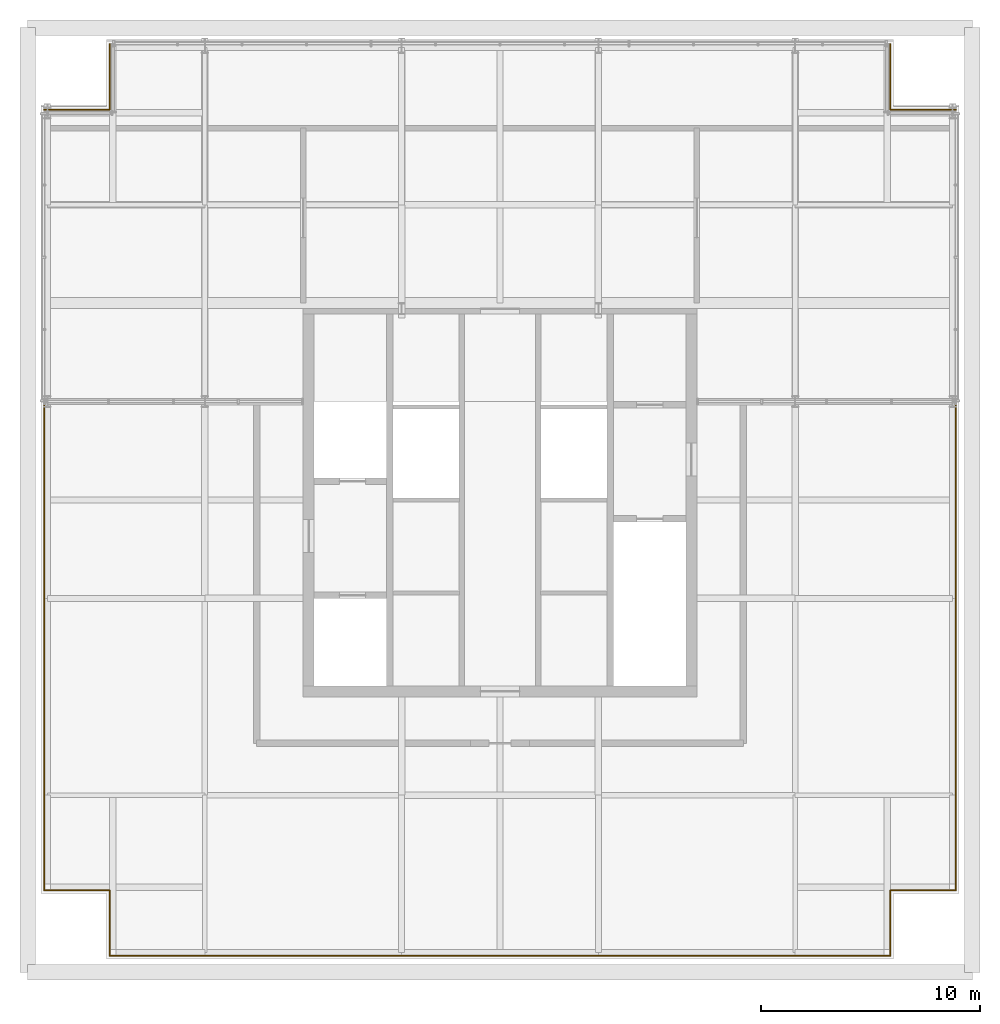
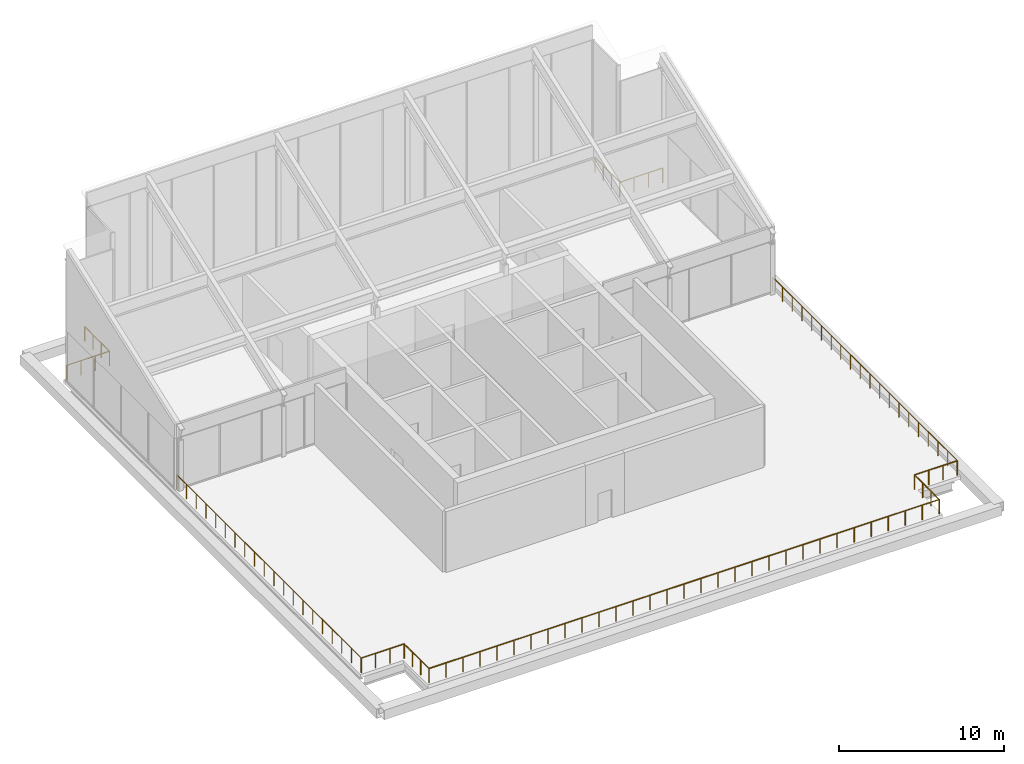
# One storey, part 10 of 10: 11 railings.
"""IFC4 building model written with IfcOpenShell, lengths in metres."""

import ifcopenshell
import ifcopenshell.guid

model = None  # the IFC model being written
_history = None  # IfcOwnerHistory: only IFC2X3 demands one
_inside = {}  # id of a spatial element -> (the spatial element, [elements in it])
_under = {}  # id of a project, library or spatial element -> (it, [spatial elements below it])
_declared = {}  # id of a project -> (the project, [libraries it declares])
_typed = {}  # id of a type object -> (the type object, [elements of that type])
_made_of = {}  # id of a material, layer set ... -> (it, [elements and type objects made of it])


def new_model(schema):
    """Start an empty IFC model of exactly this schema.

    Asked for "IFC4X3", IfcOpenShell would pick the latest addendum, in which some entities
    have other attributes; the version numbers below select the first issue.
    IFC2X3 requires an IfcOwnerHistory on every rooted entity: one is made here for all.
    """
    global model, _history
    if schema == "IFC4X3":
        model = ifcopenshell.file(schema_version=(4, 3, 0, 0))
    else:
        model = ifcopenshell.file(schema=schema)
    _inside.clear()
    _under.clear()
    _declared.clear()
    _typed.clear()
    _made_of.clear()
    _history = None
    if model.schema == "IFC2X3":
        org = make("IfcOrganization", Name="unknown")
        user = make(
            "IfcPersonAndOrganization",
            ThePerson=make("IfcPerson", FamilyName="unknown"),
            TheOrganization=org,
        )
        app = make(
            "IfcApplication",
            ApplicationDeveloper=org,
            Version="unknown",
            ApplicationFullName="unknown",
            ApplicationIdentifier="unknown",
        )
        _history = make(
            "IfcOwnerHistory",
            OwningUser=user,
            OwningApplication=app,
            ChangeAction="ADDED",
            CreationDate=0,
        )
    return model


def make(cls, **values):
    """One entity of the class cls with the attributes given. An attribute that is None is left unset."""
    return model.create_entity(
        cls, **{name: value for name, value in values.items() if value is not None}
    )


def rooted(cls, **values):
    """An entity with a GlobalId (a new one), such as an element, a storey or a relation."""
    return make(cls, GlobalId=ifcopenshell.guid.new(), OwnerHistory=_history, **values)


def si_unit(unit_type, name, prefix=None):
    """IfcSIUnit, for example si_unit("LENGTHUNIT", "METRE", prefix="MILLI")."""
    return make("IfcSIUnit", UnitType=unit_type, Prefix=prefix, Name=name)


def assignment(units):
    """IfcUnitAssignment: the units of a project."""
    return None if units is None else make("IfcUnitAssignment", Units=units)


def point(xyz):
    """IfcCartesianPoint."""
    return None if xyz is None else make("IfcCartesianPoint", Coordinates=xyz)


def direction(xyz):
    """IfcDirection."""
    return None if xyz is None else make("IfcDirection", DirectionRatios=xyz)


def frame(location, z_axis=None, x_axis=None):
    """IfcAxis2Placement3D, a coordinate frame: its origin and axes. An axis left out is left unset."""
    return make(
        "IfcAxis2Placement3D",
        Location=point(location),
        Axis=direction(z_axis),
        RefDirection=direction(x_axis),
    )


def frame_2d(location, x_axis=None):
    """IfcAxis2Placement2D, a coordinate frame in the plane: its origin and x axis."""
    return make(
        "IfcAxis2Placement2D", Location=point(location), RefDirection=direction(x_axis)
    )


def origin():
    """The frame at (0, 0, 0) with its axes left unset."""
    return frame((0.0, 0.0, 0.0))


def origin_2d():
    """The frame at (0, 0) in the plane with its x axis left unset."""
    return frame_2d((0.0, 0.0))


def place(relative_to, where):
    """IfcLocalPlacement: puts the frame where relative to a parent placement (None: the world)."""
    return make(
        "IfcLocalPlacement", PlacementRelTo=relative_to, RelativePlacement=where
    )


def context(
    kind, dimensions, precision=None, world=None, true_north=None, identifier=None
):
    """IfcGeometricRepresentationContext, for example the 3D "Model" context."""
    return make(
        "IfcGeometricRepresentationContext",
        ContextIdentifier=identifier,
        ContextType=kind,
        CoordinateSpaceDimension=dimensions,
        Precision=precision,
        WorldCoordinateSystem=world,
        TrueNorth=true_north,
    )


def subcontext(parent, identifier, kind, view, scale=None):
    """IfcGeometricRepresentationSubContext, for example "Body" below "Model"."""
    return make(
        "IfcGeometricRepresentationSubContext",
        ContextIdentifier=identifier,
        ContextType=kind,
        ParentContext=parent,
        TargetScale=scale,
        TargetView=view,
    )


def project(units=None, contexts=None):
    """IfcProject with its units and contexts."""
    return rooted(
        "IfcProject",
        Name="project",
        RepresentationContexts=contexts,
        UnitsInContext=assignment(units),
    )


def spatial(cls, under=None, at=None, **own):
    """A site, building, storey or space (cls), placed at a placement, below another one or the project."""
    s = rooted(cls, ObjectPlacement=at, **own)
    if under is not None:
        _under.setdefault(under.id(), (under, []))[1].append(s)
    return s


def profile(cls, at=None, kind="AREA", **sizes):
    """A parametric profile (cls). Its sizes go by their IFC names, for example OverallWidth=200.0."""
    return make(cls, ProfileType=kind, Position=at, **sizes)


def circle(**sizes):
    """IfcCircleProfileDef."""
    return profile("IfcCircleProfileDef", **sizes)


def extrude(swept, where, along, depth):
    """IfcExtrudedAreaSolid: the profile swept, set in the frame where, extruded along a direction by depth."""
    return make(
        "IfcExtrudedAreaSolid",
        SweptArea=swept,
        Position=where,
        ExtrudedDirection=direction(along),
        Depth=depth,
    )


def shape(context_of_items, identifier, shape_type, items):
    """IfcShapeRepresentation: the items that make up one representation, for example the "Body"."""
    return make(
        "IfcShapeRepresentation",
        ContextOfItems=context_of_items,
        RepresentationIdentifier=identifier,
        RepresentationType=shape_type,
        Items=items,
    )


def material(Name=None, Category=None):
    """IfcMaterial."""
    return make("IfcMaterial", Name=Name, Category=Category)


def made_of(thing, what):
    """Note that an element or type object is made of a material, layer set ...; save() writes the relation."""
    if what is not None:
        _made_of.setdefault(what.id(), (what, []))[1].append(thing)
    return thing


def type_object(cls, material=None, **own):
    """A type object (cls), such as IfcWallType, which elements share."""
    return made_of(rooted(cls, **own), material)


def element(
    cls,
    number,
    at=None,
    inside=None,
    cuts=None,
    type_object=None,
    material=None,
    context=None,
    identifier="Body",
    shape_type=None,
    held_by="IfcProductDefinitionShape",
    body=None,
    shapes=None,
    **own,
):
    """One element of the class cls, such as IfcWall. Its Tag is "e" and its number.

    at: its placement. inside: the storey or other place that contains it. cuts: it is an
    opening in that element (IfcRelVoidsElement). A single representation is given by context,
    identifier, shape_type and body (its items); several are given by shapes. held_by: the class
    of the entity that holds the representations. save() writes the other relations.
    """
    e = rooted(cls, Tag="e%d" % number, ObjectPlacement=at, **own)
    if body is not None:
        shapes = [shape(context, identifier, shape_type, body)]
    if shapes is not None:
        e.Representation = make(held_by, Representations=shapes)
    if inside is not None:
        _inside.setdefault(inside.id(), (inside, []))[1].append(e)
    if cuts is not None:
        rooted(
            "IfcRelVoidsElement", RelatingBuildingElement=cuts, RelatedOpeningElement=e
        )
    if type_object is not None:
        _typed.setdefault(type_object.id(), (type_object, []))[1].append(e)
    return made_of(e, material)


def aggregate(whole, parts):
    """IfcRelAggregates: a whole, such as a stair, and the parts it consists of."""
    return rooted("IfcRelAggregates", RelatingObject=whole, RelatedObjects=parts)


def save(model, path):
    """Write the relations noted so far, then the file.

    IfcRelAggregates (storeys below a building ...), IfcRelContainedInSpatialStructure (elements
    in a storey), IfcRelDefinesByType, IfcRelAssociatesMaterial and IfcRelDeclares: one each for
    every whole, place, type object, material and project.
    """
    for whole, parts in _under.values():
        aggregate(whole, parts)
    for where, things in _inside.values():
        rooted(
            "IfcRelContainedInSpatialStructure",
            RelatedElements=things,
            RelatingStructure=where,
        )
    for kind, things in _typed.values():
        rooted("IfcRelDefinesByType", RelatedObjects=things, RelatingType=kind)
    for what, things in _made_of.values():
        rooted("IfcRelAssociatesMaterial", RelatedObjects=things, RelatingMaterial=what)
    for by, libraries in _declared.values():
        rooted("IfcRelDeclares", RelatingContext=by, RelatedDefinitions=libraries)
    model.write(path)


model = new_model("IFC4")

# Units and contexts
model_context = context("Model", 3, precision=1e-05, world=origin(), true_north=direction((0.0, 1.0)))
body_context = subcontext(model_context, "Body", "Model", "MODEL_VIEW")
ifc_project = project(units=[si_unit("LENGTHUNIT", "METRE"), si_unit("AREAUNIT", "SQUARE_METRE"), si_unit("VOLUMEUNIT", "CUBIC_METRE"), si_unit("PLANEANGLEUNIT", "RADIAN"), si_unit("MASSUNIT", "GRAM", prefix="KILO")], contexts=[model_context])

# Site, building, storey
site_placement = place(None, origin())
site = spatial("IfcSite", under=ifc_project, at=site_placement, CompositionType="ELEMENT")
building_placement = place(site_placement, origin())
building = spatial("IfcBuilding", under=site, at=building_placement, Name="Malebo Sky Hospital", CompositionType="ELEMENT")
storey_placement = place(building_placement, frame((0.0, 0.0, 290.0)))
storey = spatial("IfcBuildingStorey", under=building, at=storey_placement, Name="RF", CompositionType="ELEMENT", Elevation=290.0)

# Railings
ifc_material = material(Name="Anodised aluminium, natural silver posts with stainless steel infill", Category="steel")
railing_type = type_object("IfcRailingType", Name="ROOF EDGE GUARD 1100", PredefinedType="GUARDRAIL", material=ifc_material)
railing_1_placement = place(storey_placement, frame((39.14990234375, 66.5, 0.0)))
element("IfcRailing", 1, at=railing_1_placement, inside=storey, type_object=railing_type, Name="Helicopter deck edge guard 1", PredefinedType="GUARDRAIL", context=body_context, shape_type="SweptSolid", body=[
    extrude(circle(Radius=0.02392578125, at=origin_2d()), frame((0.0, 0.0, 1.076171875), z_axis=(0.0, -1.0, 0.0), x_axis=(1.0, 0.0, 0.0)), (0.0, 0.0, 1.0), 22.35009765625),
    extrude(circle(Radius=0.02099609375, at=origin_2d()), origin(), (0.0, 0.0, 1.0), 1.052001953125),
    extrude(circle(Radius=0.02099609375, at=origin_2d()), frame((0.0, -1.17626953125, 0.0)), (0.0, 0.0, 1.0), 1.052001953125),
    extrude(circle(Radius=0.02099609375, at=origin_2d()), frame((0.0, -2.3525390625, 0.0)), (0.0, 0.0, 1.0), 1.052001953125),
    extrude(circle(Radius=0.02099609375, at=origin_2d()), frame((0.0, -3.529052734375, 0.0)), (0.0, 0.0, 1.0), 1.052001953125),
    extrude(circle(Radius=0.02099609375, at=origin_2d()), frame((0.0, -4.705322265625, 0.0)), (0.0, 0.0, 1.0), 1.052001953125),
    extrude(circle(Radius=0.02099609375, at=origin_2d()), frame((0.0, -5.881591796875, 0.0)), (0.0, 0.0, 1.0), 1.052001953125),
    extrude(circle(Radius=0.02099609375, at=origin_2d()), frame((0.0, -7.057861328125, 0.0)), (0.0, 0.0, 1.0), 1.052001953125),
    extrude(circle(Radius=0.02099609375, at=origin_2d()), frame((0.0, -8.234130859375, 0.0)), (0.0, 0.0, 1.0), 1.052001953125),
    extrude(circle(Radius=0.02099609375, at=origin_2d()), frame((0.0, -9.41064453125, 0.0)), (0.0, 0.0, 1.0), 1.052001953125),
    extrude(circle(Radius=0.02099609375, at=origin_2d()), frame((0.0, -10.5869140625, 0.0)), (0.0, 0.0, 1.0), 1.052001953125),
    extrude(circle(Radius=0.02099609375, at=origin_2d()), frame((0.0, -11.76318359375, 0.0)), (0.0, 0.0, 1.0), 1.052001953125),
    extrude(circle(Radius=0.02099609375, at=origin_2d()), frame((0.0, -12.939453125, 0.0)), (0.0, 0.0, 1.0), 1.052001953125),
    extrude(circle(Radius=0.02099609375, at=origin_2d()), frame((0.0, -14.115966796875, 0.0)), (0.0, 0.0, 1.0), 1.052001953125),
    extrude(circle(Radius=0.02099609375, at=origin_2d()), frame((0.0, -15.292236328125, 0.0)), (0.0, 0.0, 1.0), 1.052001953125),
    extrude(circle(Radius=0.02099609375, at=origin_2d()), frame((0.0, -16.468505859375, 0.0)), (0.0, 0.0, 1.0), 1.052001953125),
    extrude(circle(Radius=0.02099609375, at=origin_2d()), frame((0.0, -17.644775390625, 0.0)), (0.0, 0.0, 1.0), 1.052001953125),
    extrude(circle(Radius=0.02099609375, at=origin_2d()), frame((0.0, -18.821044921875, 0.0)), (0.0, 0.0, 1.0), 1.052001953125),
    extrude(circle(Radius=0.02099609375, at=origin_2d()), frame((0.0, -19.99755859375, 0.0)), (0.0, 0.0, 1.0), 1.052001953125),
    extrude(circle(Radius=0.02099609375, at=origin_2d()), frame((0.0, -21.173828125, 0.0)), (0.0, 0.0, 1.0), 1.052001953125),
    extrude(circle(Radius=0.02099609375, at=origin_2d()), frame((0.0, -22.35009765625, 0.0)), (0.0, 0.0, 1.0), 1.052001953125),
])
railing_2_placement = place(storey_placement, frame((39.14990234375, 44.14990234375, 0.0)))
element("IfcRailing", 2, at=railing_2_placement, inside=storey, type_object=railing_type, Name="Helicopter deck edge guard 2", PredefinedType="GUARDRAIL", context=body_context, shape_type="SweptSolid", body=[
    extrude(circle(Radius=0.02392578125, at=origin_2d()), frame((0.0, 0.0, 1.076171875), z_axis=(1.0, 0.0, 0.0), x_axis=(0.0, 1.0, 0.0)), (0.0, 0.0, 1.0), 3.0),
    extrude(circle(Radius=0.02099609375, at=origin_2d()), origin(), (0.0, 0.0, 1.0), 1.052001953125),
    extrude(circle(Radius=0.02099609375, at=origin_2d()), frame((1.0, 0.0, 0.0)), (0.0, 0.0, 1.0), 1.052001953125),
    extrude(circle(Radius=0.02099609375, at=origin_2d()), frame((2.0, 0.0, 0.0)), (0.0, 0.0, 1.0), 1.052001953125),
    extrude(circle(Radius=0.02099609375, at=origin_2d()), frame((3.0, 0.0, 0.0)), (0.0, 0.0, 1.0), 1.052001953125),
])
railing_3_placement = place(storey_placement, frame((42.14990234375, 44.14990234375, 0.0)))
element("IfcRailing", 3, at=railing_3_placement, inside=storey, type_object=railing_type, Name="Helicopter deck edge guard 3", PredefinedType="GUARDRAIL", context=body_context, shape_type="SweptSolid", body=[
    extrude(circle(Radius=0.02392578125, at=origin_2d()), frame((0.0, 0.0, 1.076171875), z_axis=(0.0, -1.0, 0.0), x_axis=(1.0, 0.0, 0.0)), (0.0, 0.0, 1.0), 3.0),
    extrude(circle(Radius=0.02099609375, at=origin_2d()), origin(), (0.0, 0.0, 1.0), 1.052001953125),
    extrude(circle(Radius=0.02099609375, at=origin_2d()), frame((0.0, -1.0, 0.0)), (0.0, 0.0, 1.0), 1.052001953125),
    extrude(circle(Radius=0.02099609375, at=origin_2d()), frame((0.0, -2.0, 0.0)), (0.0, 0.0, 1.0), 1.052001953125),
    extrude(circle(Radius=0.02099609375, at=origin_2d()), frame((0.0, -3.0, 0.0)), (0.0, 0.0, 1.0), 1.052001953125),
])
railing_4_placement = place(storey_placement, frame((42.14990234375, 41.14990234375, 0.0)))
element("IfcRailing", 4, at=railing_4_placement, inside=storey, type_object=railing_type, Name="Helicopter deck edge guard 4", PredefinedType="GUARDRAIL", context=body_context, shape_type="SweptSolid", body=[
    extrude(circle(Radius=0.02392578125, at=origin_2d()), frame((0.0, 0.0, 1.076171875), z_axis=(1.0, 0.0, 0.0), x_axis=(0.0, 1.0, 0.0)), (0.0, 0.0, 1.0), 35.7001953125),
    extrude(circle(Radius=0.02099609375, at=origin_2d()), origin(), (0.0, 0.0, 1.0), 1.052001953125),
    extrude(circle(Radius=0.02099609375, at=origin_2d()), frame((1.18994140625, 0.0, 0.0)), (0.0, 0.0, 1.0), 1.052001953125),
    extrude(circle(Radius=0.02099609375, at=origin_2d()), frame((2.380126953125, 0.0, 0.0)), (0.0, 0.0, 1.0), 1.052001953125),
    extrude(circle(Radius=0.02099609375, at=origin_2d()), frame((3.570068359375, 0.0, 0.0)), (0.0, 0.0, 1.0), 1.052001953125),
    extrude(circle(Radius=0.02099609375, at=origin_2d()), frame((4.760009765625, 0.0, 0.0)), (0.0, 0.0, 1.0), 1.052001953125),
    extrude(circle(Radius=0.02099609375, at=origin_2d()), frame((5.949951171875, 0.0, 0.0)), (0.0, 0.0, 1.0), 1.052001953125),
    extrude(circle(Radius=0.02099609375, at=origin_2d()), frame((7.14013671875, 0.0, 0.0)), (0.0, 0.0, 1.0), 1.052001953125),
    extrude(circle(Radius=0.02099609375, at=origin_2d()), frame((8.330078125, 0.0, 0.0)), (0.0, 0.0, 1.0), 1.052001953125),
    extrude(circle(Radius=0.02099609375, at=origin_2d()), frame((9.52001953125, 0.0, 0.0)), (0.0, 0.0, 1.0), 1.052001953125),
    extrude(circle(Radius=0.02099609375, at=origin_2d()), frame((10.7099609375, 0.0, 0.0)), (0.0, 0.0, 1.0), 1.052001953125),
    extrude(circle(Radius=0.02099609375, at=origin_2d()), frame((11.900146484375, 0.0, 0.0)), (0.0, 0.0, 1.0), 1.052001953125),
    extrude(circle(Radius=0.02099609375, at=origin_2d()), frame((13.090087890625, 0.0, 0.0)), (0.0, 0.0, 1.0), 1.052001953125),
    extrude(circle(Radius=0.02099609375, at=origin_2d()), frame((14.280029296875, 0.0, 0.0)), (0.0, 0.0, 1.0), 1.052001953125),
    extrude(circle(Radius=0.02099609375, at=origin_2d()), frame((15.469970703125, 0.0, 0.0)), (0.0, 0.0, 1.0), 1.052001953125),
    extrude(circle(Radius=0.02099609375, at=origin_2d()), frame((16.66015625, 0.0, 0.0)), (0.0, 0.0, 1.0), 1.052001953125),
    extrude(circle(Radius=0.02099609375, at=origin_2d()), frame((17.85009765625, 0.0, 0.0)), (0.0, 0.0, 1.0), 1.052001953125),
    extrude(circle(Radius=0.02099609375, at=origin_2d()), frame((19.0400390625, 0.0, 0.0)), (0.0, 0.0, 1.0), 1.052001953125),
    extrude(circle(Radius=0.02099609375, at=origin_2d()), frame((20.230224609375, 0.0, 0.0)), (0.0, 0.0, 1.0), 1.052001953125),
    extrude(circle(Radius=0.02099609375, at=origin_2d()), frame((21.420166015625, 0.0, 0.0)), (0.0, 0.0, 1.0), 1.052001953125),
    extrude(circle(Radius=0.02099609375, at=origin_2d()), frame((22.610107421875, 0.0, 0.0)), (0.0, 0.0, 1.0), 1.052001953125),
    extrude(circle(Radius=0.02099609375, at=origin_2d()), frame((23.800048828125, 0.0, 0.0)), (0.0, 0.0, 1.0), 1.052001953125),
    extrude(circle(Radius=0.02099609375, at=origin_2d()), frame((24.990234375, 0.0, 0.0)), (0.0, 0.0, 1.0), 1.052001953125),
    extrude(circle(Radius=0.02099609375, at=origin_2d()), frame((26.18017578125, 0.0, 0.0)), (0.0, 0.0, 1.0), 1.052001953125),
    extrude(circle(Radius=0.02099609375, at=origin_2d()), frame((27.3701171875, 0.0, 0.0)), (0.0, 0.0, 1.0), 1.052001953125),
    extrude(circle(Radius=0.02099609375, at=origin_2d()), frame((28.56005859375, 0.0, 0.0)), (0.0, 0.0, 1.0), 1.052001953125),
    extrude(circle(Radius=0.02099609375, at=origin_2d()), frame((29.750244140625, 0.0, 0.0)), (0.0, 0.0, 1.0), 1.052001953125),
    extrude(circle(Radius=0.02099609375, at=origin_2d()), frame((30.940185546875, 0.0, 0.0)), (0.0, 0.0, 1.0), 1.052001953125),
    extrude(circle(Radius=0.02099609375, at=origin_2d()), frame((32.130126953125, 0.0, 0.0)), (0.0, 0.0, 1.0), 1.052001953125),
    extrude(circle(Radius=0.02099609375, at=origin_2d()), frame((33.320068359375, 0.0, 0.0)), (0.0, 0.0, 1.0), 1.052001953125),
    extrude(circle(Radius=0.02099609375, at=origin_2d()), frame((34.51025390625, 0.0, 0.0)), (0.0, 0.0, 1.0), 1.052001953125),
    extrude(circle(Radius=0.02099609375, at=origin_2d()), frame((35.7001953125, 0.0, 0.0)), (0.0, 0.0, 1.0), 1.052001953125),
])
railing_5_placement = place(storey_placement, frame((77.85009765625, 41.14990234375, 0.0)))
element("IfcRailing", 5, at=railing_5_placement, inside=storey, type_object=railing_type, Name="Helicopter deck edge guard 5", PredefinedType="GUARDRAIL", context=body_context, shape_type="SweptSolid", body=[
    extrude(circle(Radius=0.02392578125, at=origin_2d()), frame((0.0, 0.0, 1.076171875), z_axis=(0.0, 1.0, 0.0), x_axis=(-1.0, 0.0, 0.0)), (0.0, 0.0, 1.0), 3.0),
    extrude(circle(Radius=0.02099609375, at=origin_2d()), origin(), (0.0, 0.0, 1.0), 1.052001953125),
    extrude(circle(Radius=0.02099609375, at=origin_2d()), frame((0.0, 1.0, 0.0)), (0.0, 0.0, 1.0), 1.052001953125),
    extrude(circle(Radius=0.02099609375, at=origin_2d()), frame((0.0, 2.0, 0.0)), (0.0, 0.0, 1.0), 1.052001953125),
    extrude(circle(Radius=0.02099609375, at=origin_2d()), frame((0.0, 3.0, 0.0)), (0.0, 0.0, 1.0), 1.052001953125),
])
railing_6_placement = place(storey_placement, frame((77.85009765625, 44.14990234375, 0.0)))
element("IfcRailing", 6, at=railing_6_placement, inside=storey, type_object=railing_type, Name="Helicopter deck edge guard 6", PredefinedType="GUARDRAIL", context=body_context, shape_type="SweptSolid", body=[
    extrude(circle(Radius=0.02392578125, at=origin_2d()), frame((0.0, 0.0, 1.076171875), z_axis=(1.0, 0.0, 0.0), x_axis=(0.0, 1.0, 0.0)), (0.0, 0.0, 1.0), 3.0),
    extrude(circle(Radius=0.02099609375, at=origin_2d()), origin(), (0.0, 0.0, 1.0), 1.052001953125),
    extrude(circle(Radius=0.02099609375, at=origin_2d()), frame((1.0, 0.0, 0.0)), (0.0, 0.0, 1.0), 1.052001953125),
    extrude(circle(Radius=0.02099609375, at=origin_2d()), frame((2.0, 0.0, 0.0)), (0.0, 0.0, 1.0), 1.052001953125),
    extrude(circle(Radius=0.02099609375, at=origin_2d()), frame((3.0, 0.0, 0.0)), (0.0, 0.0, 1.0), 1.052001953125),
])
railing_7_placement = place(storey_placement, frame((80.85009765625, 44.14990234375, 0.0)))
element("IfcRailing", 7, at=railing_7_placement, inside=storey, type_object=railing_type, Name="Helicopter deck edge guard 7", PredefinedType="GUARDRAIL", context=body_context, shape_type="SweptSolid", body=[
    extrude(circle(Radius=0.02392578125, at=origin_2d()), frame((0.0, 0.0, 1.076171875), z_axis=(0.0, 1.0, 0.0), x_axis=(-1.0, 0.0, 0.0)), (0.0, 0.0, 1.0), 22.35009765625),
    extrude(circle(Radius=0.02099609375, at=origin_2d()), origin(), (0.0, 0.0, 1.0), 1.052001953125),
    extrude(circle(Radius=0.02099609375, at=origin_2d()), frame((0.0, 1.17626953125, 0.0)), (0.0, 0.0, 1.0), 1.052001953125),
    extrude(circle(Radius=0.02099609375, at=origin_2d()), frame((0.0, 2.3525390625, 0.0)), (0.0, 0.0, 1.0), 1.052001953125),
    extrude(circle(Radius=0.02099609375, at=origin_2d()), frame((0.0, 3.529052734375, 0.0)), (0.0, 0.0, 1.0), 1.052001953125),
    extrude(circle(Radius=0.02099609375, at=origin_2d()), frame((0.0, 4.705322265625, 0.0)), (0.0, 0.0, 1.0), 1.052001953125),
    extrude(circle(Radius=0.02099609375, at=origin_2d()), frame((0.0, 5.881591796875, 0.0)), (0.0, 0.0, 1.0), 1.052001953125),
    extrude(circle(Radius=0.02099609375, at=origin_2d()), frame((0.0, 7.057861328125, 0.0)), (0.0, 0.0, 1.0), 1.052001953125),
    extrude(circle(Radius=0.02099609375, at=origin_2d()), frame((0.0, 8.234130859375, 0.0)), (0.0, 0.0, 1.0), 1.052001953125),
    extrude(circle(Radius=0.02099609375, at=origin_2d()), frame((0.0, 9.41064453125, 0.0)), (0.0, 0.0, 1.0), 1.052001953125),
    extrude(circle(Radius=0.02099609375, at=origin_2d()), frame((0.0, 10.5869140625, 0.0)), (0.0, 0.0, 1.0), 1.052001953125),
    extrude(circle(Radius=0.02099609375, at=origin_2d()), frame((0.0, 11.76318359375, 0.0)), (0.0, 0.0, 1.0), 1.052001953125),
    extrude(circle(Radius=0.02099609375, at=origin_2d()), frame((0.0, 12.939453125, 0.0)), (0.0, 0.0, 1.0), 1.052001953125),
    extrude(circle(Radius=0.02099609375, at=origin_2d()), frame((0.0, 14.115966796875, 0.0)), (0.0, 0.0, 1.0), 1.052001953125),
    extrude(circle(Radius=0.02099609375, at=origin_2d()), frame((0.0, 15.292236328125, 0.0)), (0.0, 0.0, 1.0), 1.052001953125),
    extrude(circle(Radius=0.02099609375, at=origin_2d()), frame((0.0, 16.468505859375, 0.0)), (0.0, 0.0, 1.0), 1.052001953125),
    extrude(circle(Radius=0.02099609375, at=origin_2d()), frame((0.0, 17.644775390625, 0.0)), (0.0, 0.0, 1.0), 1.052001953125),
    extrude(circle(Radius=0.02099609375, at=origin_2d()), frame((0.0, 18.821044921875, 0.0)), (0.0, 0.0, 1.0), 1.052001953125),
    extrude(circle(Radius=0.02099609375, at=origin_2d()), frame((0.0, 19.99755859375, 0.0)), (0.0, 0.0, 1.0), 1.052001953125),
    extrude(circle(Radius=0.02099609375, at=origin_2d()), frame((0.0, 21.173828125, 0.0)), (0.0, 0.0, 1.0), 1.052001953125),
    extrude(circle(Radius=0.02099609375, at=origin_2d()), frame((0.0, 22.35009765625, 0.0)), (0.0, 0.0, 1.0), 1.052001953125),
])
railing_8_placement = place(storey_placement, frame((39.14990234375, 79.85009765625, 0.0)))
element("IfcRailing", 8, at=railing_8_placement, inside=storey, type_object=railing_type, Name="Helicopter deck edge guard 8", PredefinedType="GUARDRAIL", context=body_context, shape_type="SweptSolid", body=[
    extrude(circle(Radius=0.02392578125, at=origin_2d()), frame((0.0, 0.0, 1.076171875), z_axis=(1.0, 0.0, 0.0), x_axis=(0.0, 1.0, 0.0)), (0.0, 0.0, 1.0), 3.0),
    extrude(circle(Radius=0.02099609375, at=origin_2d()), origin(), (0.0, 0.0, 1.0), 1.052001953125),
    extrude(circle(Radius=0.02099609375, at=origin_2d()), frame((1.0, 0.0, 0.0)), (0.0, 0.0, 1.0), 1.052001953125),
    extrude(circle(Radius=0.02099609375, at=origin_2d()), frame((2.0, 0.0, 0.0)), (0.0, 0.0, 1.0), 1.052001953125),
    extrude(circle(Radius=0.02099609375, at=origin_2d()), frame((3.0, 0.0, 0.0)), (0.0, 0.0, 1.0), 1.052001953125),
])
railing_9_placement = place(storey_placement, frame((42.14990234375, 79.85009765625, 0.0)))
element("IfcRailing", 9, at=railing_9_placement, inside=storey, type_object=railing_type, Name="Helicopter deck edge guard 9", PredefinedType="GUARDRAIL", context=body_context, shape_type="SweptSolid", body=[
    extrude(circle(Radius=0.02392578125, at=origin_2d()), frame((0.0, 0.0, 1.076171875), z_axis=(0.0, 1.0, 0.0), x_axis=(-1.0, 0.0, 0.0)), (0.0, 0.0, 1.0), 3.0),
    extrude(circle(Radius=0.02099609375, at=origin_2d()), origin(), (0.0, 0.0, 1.0), 1.052001953125),
    extrude(circle(Radius=0.02099609375, at=origin_2d()), frame((0.0, 1.0, 0.0)), (0.0, 0.0, 1.0), 1.052001953125),
    extrude(circle(Radius=0.02099609375, at=origin_2d()), frame((0.0, 2.0, 0.0)), (0.0, 0.0, 1.0), 1.052001953125),
    extrude(circle(Radius=0.02099609375, at=origin_2d()), frame((0.0, 3.0, 0.0)), (0.0, 0.0, 1.0), 1.052001953125),
])
railing_10_placement = place(storey_placement, frame((80.85009765625, 79.85009765625, 0.0)))
element("IfcRailing", 10, at=railing_10_placement, inside=storey, type_object=railing_type, Name="Helicopter deck edge guard 10", PredefinedType="GUARDRAIL", context=body_context, shape_type="SweptSolid", body=[
    extrude(circle(Radius=0.02392578125, at=origin_2d()), frame((0.0, 0.0, 1.076171875), z_axis=(-1.0, 0.0, 0.0), x_axis=(0.0, -1.0, 0.0)), (0.0, 0.0, 1.0), 3.0),
    extrude(circle(Radius=0.02099609375, at=origin_2d()), origin(), (0.0, 0.0, 1.0), 1.052001953125),
    extrude(circle(Radius=0.02099609375, at=origin_2d()), frame((-1.0, 0.0, 0.0)), (0.0, 0.0, 1.0), 1.052001953125),
    extrude(circle(Radius=0.02099609375, at=origin_2d()), frame((-2.0, 0.0, 0.0)), (0.0, 0.0, 1.0), 1.052001953125),
    extrude(circle(Radius=0.02099609375, at=origin_2d()), frame((-3.0, 0.0, 0.0)), (0.0, 0.0, 1.0), 1.052001953125),
])
railing_11_placement = place(storey_placement, frame((77.85009765625, 79.85009765625, 0.0)))
element("IfcRailing", 11, at=railing_11_placement, inside=storey, type_object=railing_type, Name="Helicopter deck edge guard 11", PredefinedType="GUARDRAIL", context=body_context, shape_type="SweptSolid", body=[
    extrude(circle(Radius=0.02392578125, at=origin_2d()), frame((0.0, 0.0, 1.076171875), z_axis=(0.0, 1.0, 0.0), x_axis=(-1.0, 0.0, 0.0)), (0.0, 0.0, 1.0), 3.0),
    extrude(circle(Radius=0.02099609375, at=origin_2d()), origin(), (0.0, 0.0, 1.0), 1.052001953125),
    extrude(circle(Radius=0.02099609375, at=origin_2d()), frame((0.0, 1.0, 0.0)), (0.0, 0.0, 1.0), 1.052001953125),
    extrude(circle(Radius=0.02099609375, at=origin_2d()), frame((0.0, 2.0, 0.0)), (0.0, 0.0, 1.0), 1.052001953125),
    extrude(circle(Radius=0.02099609375, at=origin_2d()), frame((0.0, 3.0, 0.0)), (0.0, 0.0, 1.0), 1.052001953125),
])

save(model, "model.ifc")
